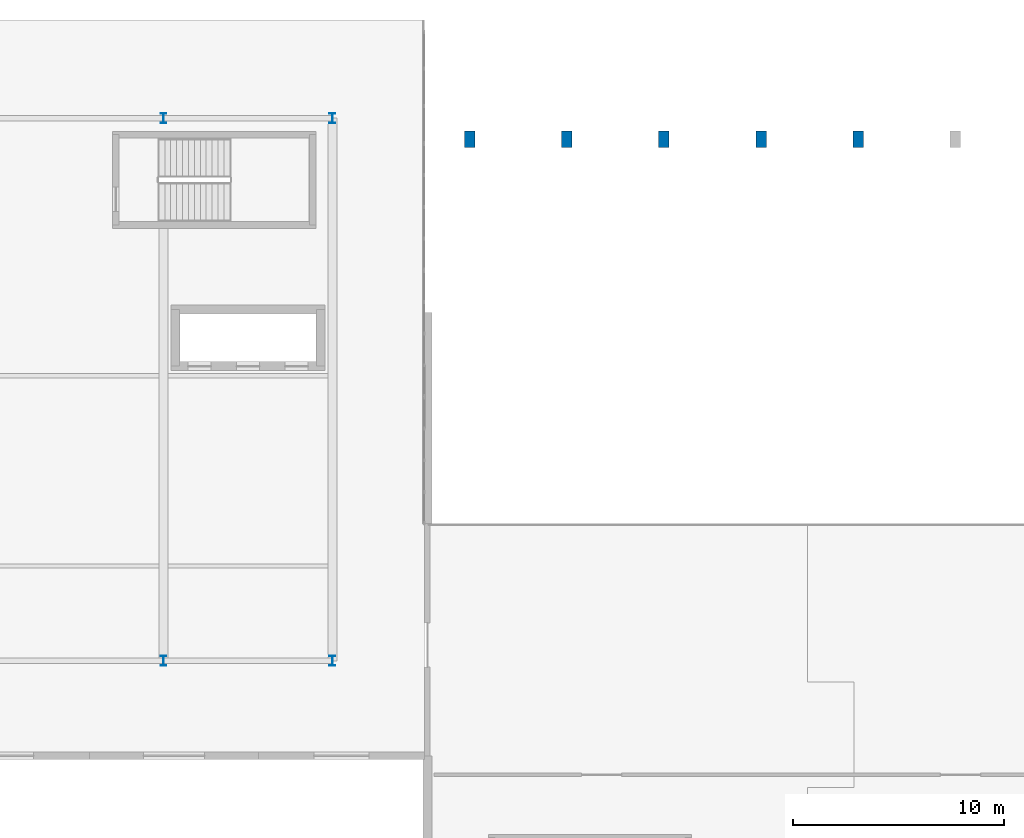
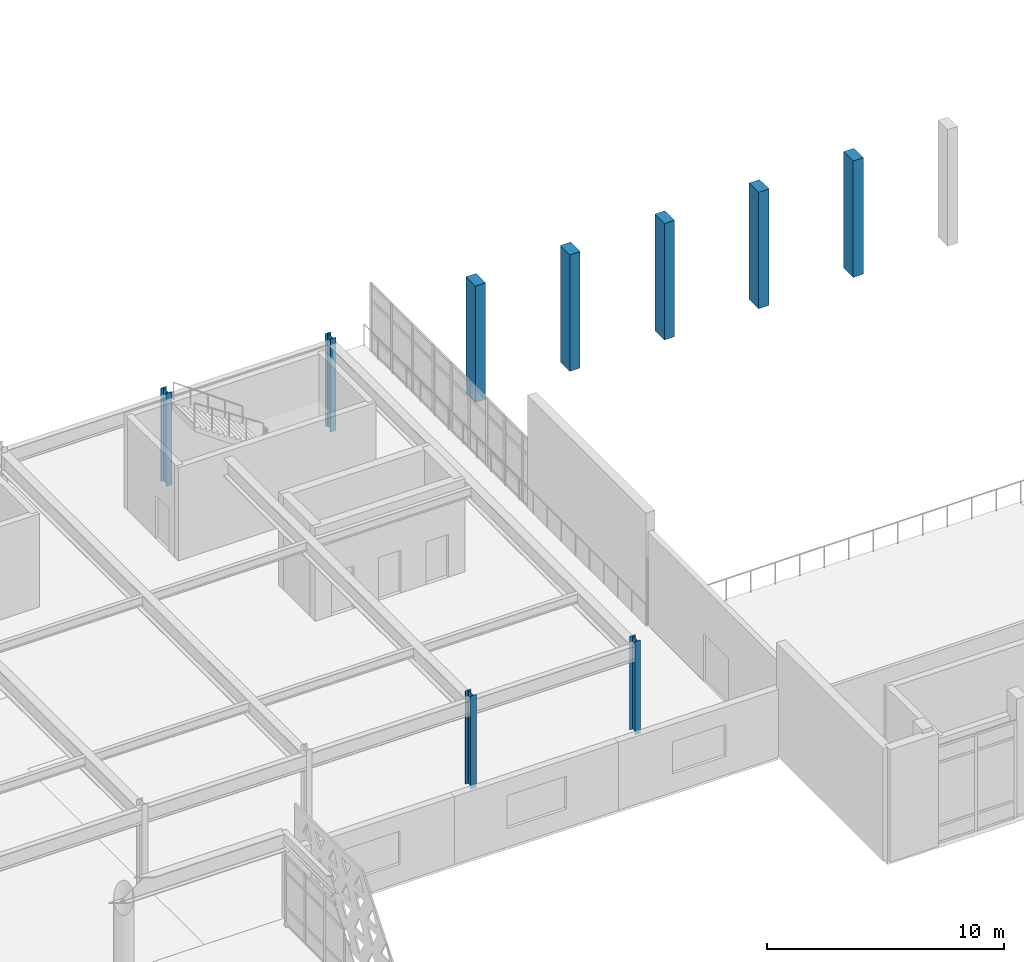
# One storey, part 4 of 54: 9 columns.
"""IFC4 building model written with IfcOpenShell, lengths in metres."""

from ifc_helpers import new_model, si_unit, direction, frame, origin, origin_2d, place, context, subcontext, project, spatial, rectangle, i_section, extrude, material, material_profile, profile_set, type_object, element, save


model = new_model("IFC4")

# Units and contexts
model_context = context("Model", 3, precision=1e-05, world=origin(), true_north=direction((0.0, 1.0)))
body_context = subcontext(model_context, "Body", "Model", "MODEL_VIEW")
ifc_project = project(units=[si_unit("LENGTHUNIT", "METRE"), si_unit("AREAUNIT", "SQUARE_METRE"), si_unit("VOLUMEUNIT", "CUBIC_METRE"), si_unit("PLANEANGLEUNIT", "RADIAN"), si_unit("MASSUNIT", "GRAM", prefix="KILO")], contexts=[model_context])

# Site, building, storey
site_placement = place(None, origin())
site = spatial("IfcSite", under=ifc_project, at=site_placement, CompositionType="ELEMENT")
building_placement = place(site_placement, origin())
building = spatial("IfcBuilding", under=site, at=building_placement, Name="Tlacozan Convention Centre", CompositionType="ELEMENT")
storey_placement = place(building_placement, frame((0.0, 0.0, 11.39990234375)))
storey = spatial("IfcBuildingStorey", under=building, at=storey_placement, Name="L02", CompositionType="ELEMENT", Elevation=11.39990234375)

# Columns
ifc_material_1 = material(Name="Steel ASTM A992 Grade 50", Category="steel")
ifc_material_profile_1 = material_profile(ifc_material_1, i_section(OverallWidth=0.280029296875, OverallDepth=0.462890625, WebThickness=0.0107421875, FlangeThickness=0.017333984375, FilletRadius=0.011962890625, at=origin_2d()), Name="IR 457x113.0")
ifc_profile_set_1 = profile_set([ifc_material_profile_1], Name="Steel ASTM A992 Grade 50")
column_type_1 = type_object("IfcColumnType", Name="Column Steel IR 457x113", PredefinedType="COLUMN", material=ifc_profile_set_1)
for number, where, z_axis, x_axis, name in (
    (1, (131.5, 31.5, 0.0), (0.0, 0.0, 1.0), (1.0, 0.0, 0.0), "L02 Column 676"),
    (2, (131.5, 57.199951171875, 0.0), (0.0, 0.0, 1.0), (1.0, 0.0, 0.0), "L02 Column 682"),
    (3, (139.5, 31.5, 0.0), (0.0, 0.0, 1.0), (1.0, 0.0, 0.0), "L02 Column 699"),
    (4, (139.5, 57.199951171875, 0.0), (0.0, 0.0, 1.0), (1.0, 0.0, 0.0), "L02 Column 707"),
):
    element("IfcColumn", number, at=place(storey_placement, frame(where, z_axis=z_axis, x_axis=x_axis)), inside=storey, type_object=column_type_1, Name=name, PredefinedType="COLUMN", context=body_context, shape_type="SweptSolid", body=[
        extrude(i_section(OverallWidth=0.280029296875, OverallDepth=0.462890625, WebThickness=0.0107421875, FlangeThickness=0.017333984375, FilletRadius=0.011962890625, at=origin_2d()), origin(), (0.0, 0.0, 1.0), 4.800048828125),
    ])
ifc_material_2 = material(Name="Concrete C40/50", Category="concrete")
ifc_material_profile_2 = material_profile(ifc_material_2, rectangle(XDim=0.5, YDim=0.800048828125, at=origin_2d()), Name="RC 500x800")
ifc_profile_set_2 = profile_set([ifc_material_profile_2], Name="Concrete C40/50")
column_type_2 = type_object("IfcColumnType", Name="Pilaster Cantera RC 500x800", PredefinedType="PILASTER", material=ifc_profile_set_2)
for number, where, z_axis, x_axis, name in (
    (5, (146.0, 56.199951171875, 0.0), (0.0, 0.0, 1.0), (1.0, 0.0, 0.0), "L02 Column 731"),
    (6, (150.60009765625, 56.199951171875, 0.0), (0.0, 0.0, 1.0), (1.0, 0.0, 0.0), "L02 Column 742"),
    (7, (155.199951171875, 56.199951171875, 0.0), (0.0, 0.0, 1.0), (1.0, 0.0, 0.0), "L02 Column 766"),
    (8, (159.800048828125, 56.199951171875, 0.0), (0.0, 0.0, 1.0), (1.0, 0.0, 0.0), "L02 Column 777"),
    (9, (164.39990234375, 56.199951171875, 0.0), (0.0, 0.0, 1.0), (1.0, 0.0, 0.0), "L02 Column 801"),
):
    element("IfcColumn", number, at=place(storey_placement, frame(where, z_axis=z_axis, x_axis=x_axis)), inside=storey, type_object=column_type_2, Name=name, PredefinedType="PILASTER", context=body_context, shape_type="SweptSolid", body=[
        extrude(rectangle(XDim=0.5, YDim=0.800048828125, at=origin_2d()), origin(), (0.0, 0.0, 1.0), 6.0),
    ])

save(model, "model.ifc")
